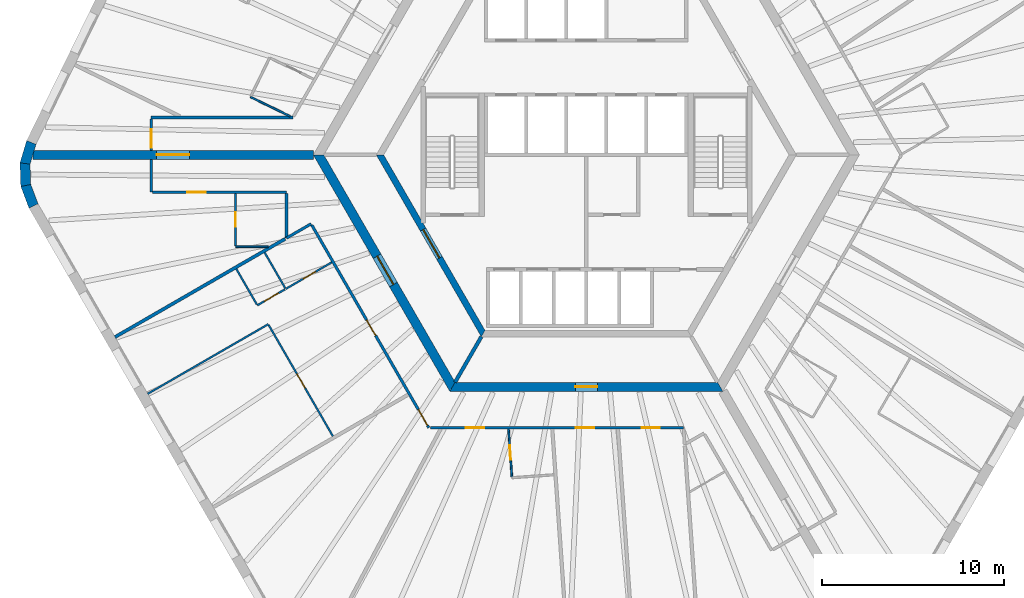
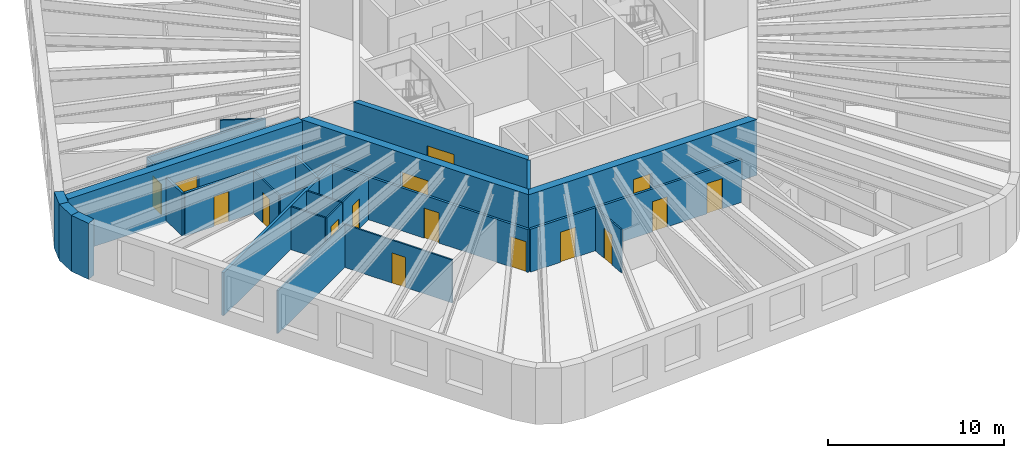
# One storey, part 3 of 10: 27 walls, 16 doors, 16 openings.
"""IFC4 building model written with IfcOpenShell, lengths in metres."""

from ifc_helpers import new_model, si_unit, direction, frame, frame_2d, origin, place, context, subcontext, project, spatial, polyline, rectangle, outline, extrude, material, layer, layer_set, type_object, element, fill, save


model = new_model("IFC4")

# Units and contexts
model_context = context("Model", 3, precision=1e-05, world=origin(), true_north=direction((0.0, 1.0)))
body_context = subcontext(model_context, "Body", "Model", "MODEL_VIEW")
ifc_project = project(units=[si_unit("LENGTHUNIT", "METRE"), si_unit("AREAUNIT", "SQUARE_METRE"), si_unit("VOLUMEUNIT", "CUBIC_METRE"), si_unit("PLANEANGLEUNIT", "RADIAN"), si_unit("MASSUNIT", "GRAM", prefix="KILO")], contexts=[model_context])

# Site, building, storey
site_placement = place(None, origin())
site = spatial("IfcSite", under=ifc_project, at=site_placement, CompositionType="ELEMENT")
building_placement = place(site_placement, origin())
building = spatial("IfcBuilding", under=site, at=building_placement, Name="Tarnside Tower", CompositionType="ELEMENT")
storey_placement = place(building_placement, frame((0.0, 0.0, 199.5)))
storey = spatial("IfcBuildingStorey", under=building, at=storey_placement, Name="L47", CompositionType="ELEMENT", Elevation=199.5)

# Walls
ifc_material_1 = material(Name="Gypsum board partition on steel studs", Category="steel")
ifc_layer_1 = layer(ifc_material_1, 0.10009765625)
ifc_layer_set_1 = layer_set([ifc_layer_1], Name="Bathroom wall 100")
wall_type_1 = type_object("IfcWallType", Name="Bathroom wall 100", PredefinedType="PARTITIONING", material=ifc_layer_set_1)
wall_1_placement = place(storey_placement, frame((-16.290771484375, 2.125, 0.0), z_axis=(0.0, 0.0, 1.0), x_axis=(-0.898785911157, 0.438387825909, 0.0)))
element("IfcWall", 1, at=wall_1_placement, inside=storey, type_object=wall_type_1, Name="Bathroom wall 15065", PredefinedType="PARTITIONING", context=body_context, shape_type="SweptSolid", body=[
    extrude(rectangle(XDim=2.41796875, YDim=0.10009765625, at=frame_2d((1.208984375, 0.0))), origin(), (0.0, 0.0, 1.0), 2.98779296875),
])
wall_2_placement = place(storey_placement, frame((-17.4912109375, -5.050048828125, 0.0), z_axis=(0.0, 0.0, 1.0), x_axis=(-1.0, 0.0, 0.0)))
element("IfcWall", 2, at=wall_2_placement, inside=storey, type_object=wall_type_1, Name="Bathroom wall 15071", PredefinedType="PARTITIONING", context=body_context, shape_type="SweptSolid", body=[
    extrude(rectangle(XDim=1.795654296875, YDim=0.10009765625, at=frame_2d((0.89794921875, 0.0))), origin(), (0.0, 0.0, 1.0), 2.98779296875),
])

# Wall, opening, door
wall_3_placement = place(storey_placement, frame((-19.286865234375, -5.0, 0.0), z_axis=(0.0, 0.0, 1.0), x_axis=(0.0, 1.0, 0.0)))
wall_3 = element("IfcWall", 3, at=wall_3_placement, inside=storey, type_object=wall_type_1, Name="Bathroom wall 15072", PredefinedType="PARTITIONING", context=body_context, shape_type="SweptSolid", body=[
    extrude(rectangle(XDim=2.875, YDim=0.10009765625, at=frame_2d((1.4375, 0.0))), origin(), (0.0, 0.0, 1.0), 2.98779296875),
])
opening_1_placement = place(wall_3_placement, frame((1.050048828125, 0.0, 0.0)))
opening_1 = element("IfcOpeningElement", 4, at=opening_1_placement, cuts=wall_3, Name="Opening D-B1", PredefinedType="OPENING", context=body_context, shape_type="SweptSolid", body=[
    extrude(rectangle(XDim=0.800048828125, YDim=2.10009765625, at=frame_2d((0.39990234375, 1.050048828125))), frame((0.0, 0.06005859375, 0.0), z_axis=(0.0, -1.0, 0.0), x_axis=(1.0, 0.0, 0.0)), (0.0, 0.0, 1.0), 0.1201171875),
])
ifc_material_2 = material(Name="Timber door leaf", Category="wood")
door_type_1 = type_object("IfcDoorType", Name="Bathroom door 800", OperationType="NOTDEFINED", PredefinedType="DOOR", material=ifc_material_2)
door_1_placement = place(opening_1_placement, origin())
door_1 = element("IfcDoor", 5, at=door_1_placement, inside=storey, type_object=door_type_1, Name="Bathroom door 15013", OperationType="SINGLE_SWING_LEFT", OverallHeight=2.10009765625, OverallWidth=0.800048828125, PredefinedType="DOOR", context=body_context, shape_type="SweptSolid", body=[
    extrude(rectangle(XDim=0.800048828125, YDim=2.10009765625, at=frame_2d((0.39990234375, 1.050048828125))), frame((0.0, 0.02490234375, 0.0), z_axis=(0.0, -1.0, 0.0), x_axis=(1.0, 0.0, 0.0)), (0.0, 0.0, 1.0), 0.050048828125),
])
fill(opening_1, door_1)

wall_4_placement = place(storey_placement, frame((-13.996337890625, -5.907470703125, 0.0), z_axis=(0.0, 0.0, 1.0), x_axis=(-0.86601045545, -0.500025890382, 0.0)))
wall_4 = element("IfcWall", 6, at=wall_4_placement, inside=storey, type_object=wall_type_1, Name="Bathroom wall 15077", PredefinedType="PARTITIONING", context=body_context, shape_type="SweptSolid", body=[
    extrude(rectangle(XDim=2.925048828125, YDim=0.10009765625, at=frame_2d((1.46240234375, 0.0))), origin(), (0.0, 0.0, 1.0), 2.98779296875),
])
opening_2_placement = place(wall_4_placement, frame((1.02490234375, 0.0, 0.0)))
opening_2 = element("IfcOpeningElement", 7, at=opening_2_placement, cuts=wall_4, Name="Opening D-B1", PredefinedType="OPENING", context=body_context, shape_type="SweptSolid", body=[
    extrude(rectangle(XDim=0.800048828125, YDim=2.10009765625, at=frame_2d((0.39990234375, 1.050048828125))), frame((0.0, 0.06005859375, 0.0), z_axis=(0.0, -1.0, 0.0), x_axis=(1.0, 0.0, 0.0)), (0.0, 0.0, 1.0), 0.1201171875),
])
door_2_placement = place(opening_2_placement, origin())
door_2 = element("IfcDoor", 8, at=door_2_placement, inside=storey, type_object=door_type_1, Name="Bathroom door 15015", OperationType="SINGLE_SWING_RIGHT", OverallHeight=2.10009765625, OverallWidth=0.800048828125, PredefinedType="DOOR", context=body_context, shape_type="SweptSolid", body=[
    extrude(rectangle(XDim=0.800048828125, YDim=2.10009765625, at=frame_2d((0.39990234375, 1.050048828125))), frame((0.0, 0.02490234375, 0.0), z_axis=(0.0, -1.0, 0.0), x_axis=(1.0, 0.0, 0.0)), (0.0, 0.0, 1.0), 0.050048828125),
])
fill(opening_2, door_2)

# Wall
wall_5_placement = place(storey_placement, frame((-17.6845703125, -5.36962890625, 0.0), z_axis=(0.0, 0.0, 1.0), x_axis=(0.500077800282, -0.865980481111, 0.0)))
element("IfcWall", 9, at=wall_5_placement, inside=storey, type_object=wall_type_1, Name="Bathroom wall 15083", PredefinedType="PARTITIONING", context=body_context, shape_type="SweptSolid", body=[
    extrude(rectangle(XDim=2.260009765625, YDim=0.10009765625, at=frame_2d((1.1298828125, 0.0))), origin(), (0.0, 0.0, 1.0), 2.98779296875),
])

# Wall, opening, door
wall_6_placement = place(storey_placement, frame((-4.09326171875, -17.698486328125, 0.0), z_axis=(0.0, 0.0, 1.0), x_axis=(-0.069808804481, 0.997560389559, 0.0)))
wall_6 = element("IfcWall", 10, at=wall_6_placement, inside=storey, type_object=wall_type_1, Name="Bathroom wall 15087", PredefinedType="PARTITIONING", context=body_context, shape_type="SweptSolid", body=[
    extrude(rectangle(XDim=2.6298828125, YDim=0.10009765625, at=frame_2d((1.31494140625, 0.0))), origin(), (0.0, 0.0, 1.0), 2.98779296875),
])
opening_3_placement = place(wall_6_placement, frame((0.949951171875, 0.0, 0.0)))
opening_3 = element("IfcOpeningElement", 11, at=opening_3_placement, cuts=wall_6, Name="Opening D-B1", PredefinedType="OPENING", context=body_context, shape_type="SweptSolid", body=[
    extrude(rectangle(XDim=0.800048828125, YDim=2.10009765625, at=frame_2d((0.39990234375, 1.050048828125))), frame((0.0, 0.06005859375, 0.0), z_axis=(0.0, -1.0, 0.0), x_axis=(1.0, 0.0, 0.0)), (0.0, 0.0, 1.0), 0.1201171875),
])
door_3_placement = place(opening_3_placement, origin())
door_3 = element("IfcDoor", 12, at=door_3_placement, inside=storey, type_object=door_type_1, Name="Bathroom door 15020", OperationType="SINGLE_SWING_LEFT", OverallHeight=2.10009765625, OverallWidth=0.800048828125, PredefinedType="DOOR", context=body_context, shape_type="SweptSolid", body=[
    extrude(rectangle(XDim=0.800048828125, YDim=2.10009765625, at=frame_2d((0.39990234375, 1.050048828125))), frame((0.0, 0.02490234375, 0.0), z_axis=(0.0, -1.0, 0.0), x_axis=(1.0, 0.0, 0.0)), (0.0, 0.0, 1.0), 0.050048828125),
])
fill(opening_3, door_3)

ifc_material_3 = material(Name="Concrete C50/60", Category="concrete")
ifc_layer_2 = layer(ifc_material_3, 0.35009765625)
ifc_layer_set_2 = layer_set([ifc_layer_2], Name="Core block wall 350 C50/60")
wall_type_2 = type_object("IfcWallType", Name="Core block wall 350 C50/60", PredefinedType="SHEAR", material=ifc_layer_set_2)
wall_7_placement = place(storey_placement, frame((-11.344970703125, 0.0, -0.14990234375), z_axis=(0.0, 0.0, 1.0), x_axis=(0.499995046907, -0.866028263435, 0.0)))
wall_7 = element("IfcWall", 13, at=wall_7_placement, inside=storey, type_object=wall_type_2, Name="L47 core block wall face 3", PredefinedType="SHEAR", context=body_context, shape_type="SweptSolid", body=[
    extrude(outline(polyline([(-0.10107421875, -0.175048828125), (11.44580078125, -0.175048828125), (11.24365234375, 0.175048828125), (0.10107421875, 0.175048828125), (-0.10107421875, -0.175048828125)])), origin(), (0.0, 0.0, 1.0), 3.89990234375),
])
opening_4_placement = place(wall_7_placement, frame((4.74365234375, 0.0, 0.14990234375)))
opening_4 = element("IfcOpeningElement", 14, at=opening_4_placement, cuts=wall_7, Name="Opening CD-FFL", PredefinedType="OPENING", context=body_context, shape_type="SweptSolid", body=[
    extrude(rectangle(XDim=1.800048828125, YDim=2.39990234375, at=frame_2d((0.89990234375, 1.199951171875))), frame((0.0, 0.18505859375, 0.0), z_axis=(0.0, -1.0, 0.0), x_axis=(1.0, 0.0, 0.0)), (0.0, 0.0, 1.0), 0.3701171875),
])
ifc_material_4 = material(Name="Steel fire door", Category="steel")
door_type_2 = type_object("IfcDoorType", Name="Firefighting lobby double door FD60S 1800x2400", OperationType="NOTDEFINED", PredefinedType="DOOR", material=ifc_material_4)
door_4_placement = place(opening_4_placement, origin())
door_4 = element("IfcDoor", 15, at=door_4_placement, inside=storey, type_object=door_type_2, Name="L47 lobby block door P3", OperationType="DOUBLE_DOOR_SINGLE_SWING", OverallHeight=2.39990234375, OverallWidth=1.800048828125, PredefinedType="DOOR", context=body_context, shape_type="SweptSolid", body=[
    extrude(rectangle(XDim=1.800048828125, YDim=2.39990234375, at=frame_2d((0.89990234375, 1.199951171875))), frame((0.0, 0.02490234375, 0.0), z_axis=(0.0, -1.0, 0.0), x_axis=(1.0, 0.0, 0.0)), (0.0, 0.0, 1.0), 0.050048828125),
])
fill(opening_4, door_4)

ifc_material_5 = material(Name="Concrete C70/85", Category="concrete")
ifc_layer_3 = layer(ifc_material_5, 0.5)
ifc_layer_set_3 = layer_set([ifc_layer_3], Name="Core wall Z2 500 C70/85")
wall_type_3 = type_object("IfcWallType", Name="Core wall Z2 500 C70/85", PredefinedType="SHEAR", material=ifc_layer_set_3)
wall_8_placement = place(storey_placement, frame((-14.722412109375, 0.0, -0.14990234375), z_axis=(0.0, 0.0, 1.0), x_axis=(0.50000571537, -0.866022103989, 0.0)))
wall_8 = element("IfcWall", 16, at=wall_8_placement, inside=storey, type_object=wall_type_3, Name="L47 core wall face 3", PredefinedType="SHEAR", context=body_context, shape_type="SweptSolid", body=[
    extrude(outline(polyline([(-0.144287109375, -0.25), (14.86669921875, -0.25), (14.578125, 0.25), (0.144287109375, 0.25), (-0.144287109375, -0.25)])), origin(), (0.0, 0.0, 1.0), 3.89990234375),
])
opening_5_placement = place(wall_8_placement, frame((6.432373046875, 0.0, 0.14990234375)))
opening_5 = element("IfcOpeningElement", 17, at=opening_5_placement, cuts=wall_8, Name="Opening CD-FFL", PredefinedType="OPENING", context=body_context, shape_type="SweptSolid", body=[
    extrude(rectangle(XDim=1.800048828125, YDim=2.39990234375, at=frame_2d((0.89990234375, 1.199951171875))), frame((0.0, 0.260009765625, 0.0), z_axis=(0.0, -1.0, 0.0), x_axis=(1.0, 0.0, 0.0)), (0.0, 0.0, 1.0), 0.52001953125),
])
door_5_placement = place(opening_5_placement, origin())
door_5 = element("IfcDoor", 18, at=door_5_placement, inside=storey, type_object=door_type_2, Name="L47 core door P3", OperationType="DOUBLE_DOOR_SINGLE_SWING", OverallHeight=2.39990234375, OverallWidth=1.800048828125, PredefinedType="DOOR", context=body_context, shape_type="SweptSolid", body=[
    extrude(rectangle(XDim=1.800048828125, YDim=2.39990234375, at=frame_2d((0.89990234375, 1.199951171875))), frame((0.0, 0.02490234375, 0.0), z_axis=(0.0, -1.0, 0.0), x_axis=(1.0, 0.0, 0.0)), (0.0, 0.0, 1.0), 0.050048828125),
])
fill(opening_5, door_5)

wall_9_placement = place(storey_placement, frame((-7.361083984375, -12.75, -0.14990234375), z_axis=(0.0, 0.0, 1.0), x_axis=(1.0, 0.0, 0.0)))
wall_9 = element("IfcWall", 19, at=wall_9_placement, inside=storey, type_object=wall_type_3, Name="L47 core wall face 4", PredefinedType="SHEAR", context=body_context, shape_type="SweptSolid", body=[
    extrude(outline(polyline([(-0.144287109375, -0.25), (14.866455078125, -0.25), (14.577880859375, 0.25), (0.144287109375, 0.25), (-0.144287109375, -0.25)])), origin(), (0.0, 0.0, 1.0), 3.89990234375),
])
opening_6_placement = place(wall_9_placement, frame((6.76123046875, 0.0, 0.14990234375)))
opening_6 = element("IfcOpeningElement", 20, at=opening_6_placement, cuts=wall_9, Name="Opening CD-RSR", PredefinedType="OPENING", context=body_context, shape_type="SweptSolid", body=[
    extrude(rectangle(XDim=1.199951171875, YDim=2.39990234375, at=frame_2d((0.60009765625, 1.199951171875))), frame((0.0, 0.260009765625, 0.0), z_axis=(0.0, -1.0, 0.0), x_axis=(1.0, 0.0, 0.0)), (0.0, 0.0, 1.0), 0.52001953125),
])
door_type_3 = type_object("IfcDoorType", Name="Riser door FD60 1200x2400", OperationType="NOTDEFINED", PredefinedType="DOOR", material=ifc_material_4)
door_6_placement = place(opening_6_placement, origin())
door_6 = element("IfcDoor", 21, at=door_6_placement, inside=storey, type_object=door_type_3, Name="L47 core door S6", OperationType="SINGLE_SWING_LEFT", OverallHeight=2.39990234375, OverallWidth=1.199951171875, PredefinedType="DOOR", context=body_context, shape_type="SweptSolid", body=[
    extrude(rectangle(XDim=1.199951171875, YDim=2.39990234375, at=frame_2d((0.60009765625, 1.199951171875))), frame((0.0, 0.02490234375, 0.0), z_axis=(0.0, -1.0, 0.0), x_axis=(1.0, 0.0, 0.0)), (0.0, 0.0, 1.0), 0.050048828125),
])
fill(opening_6, door_6)

wall_10_placement = place(storey_placement, frame((-15.010986328125, 0.0, -0.14990234375), z_axis=(0.0, 0.0, 1.0), x_axis=(-1.0, 0.0, 0.0)))
wall_10 = element("IfcWall", 22, at=wall_10_placement, inside=storey, type_object=wall_type_3, Name="L47 spine wall 2", PredefinedType="SHEAR", context=body_context, shape_type="SweptSolid", body=[
    extrude(rectangle(XDim=15.423828125, YDim=0.5, at=frame_2d((7.7119140625, 0.0))), origin(), (0.0, 0.0, 1.0), 3.89990234375),
])
opening_7_placement = place(wall_10_placement, frame((6.811767578125, 0.0, 0.14990234375)))
opening_7 = element("IfcOpeningElement", 23, at=opening_7_placement, cuts=wall_10, Name="Opening CD-SPN", PredefinedType="OPENING", context=body_context, shape_type="SweptSolid", body=[
    extrude(rectangle(XDim=1.800048828125, YDim=2.39990234375, at=frame_2d((0.89990234375, 1.199951171875))), frame((0.0, 0.260009765625, 0.0), z_axis=(0.0, -1.0, 0.0), x_axis=(1.0, 0.0, 0.0)), (0.0, 0.0, 1.0), 0.52001953125),
])
door_type_4 = type_object("IfcDoorType", Name="Spine passage double door FD60 1800x2400", OperationType="NOTDEFINED", PredefinedType="DOOR", material=ifc_material_4)
door_7_placement = place(opening_7_placement, origin())
door_7 = element("IfcDoor", 24, at=door_7_placement, inside=storey, type_object=door_type_4, Name="L47 spine passage door 2", OperationType="DOUBLE_DOOR_SINGLE_SWING", OverallHeight=2.39990234375, OverallWidth=1.800048828125, PredefinedType="DOOR", context=body_context, shape_type="SweptSolid", body=[
    extrude(rectangle(XDim=1.800048828125, YDim=2.39990234375, at=frame_2d((0.89990234375, 1.199951171875))), frame((0.0, 0.02490234375, 0.0), z_axis=(0.0, -1.0, 0.0), x_axis=(1.0, 0.0, 0.0)), (0.0, 0.0, 1.0), 0.050048828125),
])
fill(opening_7, door_7)

# Wall
ifc_layer_4 = layer(ifc_material_1, 0.14990234375)
ifc_layer_set_4 = layer_set([ifc_layer_4], Name="Corridor wall 150 EI 60")
wall_type_4 = type_object("IfcWallType", Name="Corridor wall 150 EI 60", PredefinedType="PARTITIONING", material=ifc_layer_set_4)
wall_11_placement = place(storey_placement, frame((-16.136962890625, 2.050048828125, 0.0), z_axis=(0.0, 0.0, 1.0), x_axis=(-1.0, 0.0, 0.0)))
element("IfcWall", 25, at=wall_11_placement, inside=storey, type_object=wall_type_4, Name="Corridor wall 15010", PredefinedType="PARTITIONING", context=body_context, shape_type="SweptSolid", body=[
    extrude(rectangle(XDim=7.785888671875, YDim=0.14990234375, at=frame_2d((3.89306640625, 0.0))), origin(), (0.0, 0.0, 1.0), 2.98779296875),
])

# Wall, opening, door
wall_12_placement = place(storey_placement, frame((-23.9228515625, 1.97509765625, 0.0), z_axis=(0.0, 0.0, 1.0), x_axis=(0.0, -1.0, 0.0)))
wall_12 = element("IfcWall", 26, at=wall_12_placement, inside=storey, type_object=wall_type_4, Name="Corridor wall 15014", PredefinedType="PARTITIONING", context=body_context, shape_type="SweptSolid", body=[
    extrude(rectangle(XDim=1.72509765625, YDim=0.14990234375, at=frame_2d((0.862548828125, 0.0))), origin(), (0.0, 0.0, 1.0), 2.98779296875),
])
opening_8_placement = place(wall_12_placement, frame((0.574951171875, 0.0, 0.0)))
opening_8 = element("IfcOpeningElement", 27, at=opening_8_placement, cuts=wall_12, Name="Opening D-E1", PredefinedType="OPENING", context=body_context, shape_type="SweptSolid", body=[
    extrude(rectangle(XDim=1.0, YDim=2.10009765625, at=frame_2d((0.5, 1.050048828125))), frame((0.0, 0.0849609375, 0.0), z_axis=(0.0, -1.0, 0.0), x_axis=(1.0, 0.0, 0.0)), (0.0, 0.0, 1.0), 0.169921875),
])
door_type_5 = type_object("IfcDoorType", Name="Unit entrance door 1000 FD30S", OperationType="NOTDEFINED", PredefinedType="DOOR", material=ifc_material_2)
door_8_placement = place(opening_8_placement, origin())
door_8 = element("IfcDoor", 28, at=door_8_placement, inside=storey, type_object=door_type_5, Name="Unit door 15011", OperationType="SINGLE_SWING_LEFT", OverallHeight=2.10009765625, OverallWidth=1.0, PredefinedType="DOOR", context=body_context, shape_type="SweptSolid", body=[
    extrude(rectangle(XDim=1.0, YDim=2.10009765625, at=frame_2d((0.5, 1.050048828125))), frame((0.0, 0.02490234375, 0.0), z_axis=(0.0, -1.0, 0.0), x_axis=(1.0, 0.0, 0.0)), (0.0, 0.0, 1.0), 0.050048828125),
])
fill(opening_8, door_8)

# Wall
wall_13_placement = place(storey_placement, frame((-23.9228515625, -0.25, 0.0), z_axis=(0.0, 0.0, 1.0), x_axis=(0.0, -1.0, 0.0)))
element("IfcWall", 29, at=wall_13_placement, inside=storey, type_object=wall_type_4, Name="Corridor wall 15015", PredefinedType="PARTITIONING", context=body_context, shape_type="SweptSolid", body=[
    extrude(rectangle(XDim=1.800048828125, YDim=0.14990234375, at=frame_2d((0.89990234375, 0.0))), origin(), (0.0, 0.0, 1.0), 2.98779296875),
])

# Wall, opening, door
wall_14_placement = place(storey_placement, frame((-23.847900390625, -2.050048828125, 0.0), z_axis=(0.0, 0.0, 1.0), x_axis=(1.0, 0.0, 0.0)))
wall_14 = element("IfcWall", 30, at=wall_14_placement, inside=storey, type_object=wall_type_4, Name="Corridor wall 15016", PredefinedType="PARTITIONING", context=body_context, shape_type="SweptSolid", body=[
    extrude(rectangle(XDim=7.36083984375, YDim=0.14990234375, at=frame_2d((3.680419921875, 0.0))), origin(), (0.0, 0.0, 1.0), 2.98779296875),
])
opening_9_placement = place(wall_14_placement, frame((1.91796875, 0.0, 0.0)))
opening_9 = element("IfcOpeningElement", 31, at=opening_9_placement, cuts=wall_14, Name="Opening D-E1", PredefinedType="OPENING", context=body_context, shape_type="SweptSolid", body=[
    extrude(rectangle(XDim=1.0, YDim=2.10009765625, at=frame_2d((0.5, 1.050048828125))), frame((0.0, 0.0849609375, 0.0), z_axis=(0.0, -1.0, 0.0), x_axis=(1.0, 0.0, 0.0)), (0.0, 0.0, 1.0), 0.169921875),
])
door_9_placement = place(opening_9_placement, origin())
door_9 = element("IfcDoor", 32, at=door_9_placement, inside=storey, type_object=door_type_5, Name="Unit door 15012", OperationType="SINGLE_SWING_LEFT", OverallHeight=2.10009765625, OverallWidth=1.0, PredefinedType="DOOR", context=body_context, shape_type="SweptSolid", body=[
    extrude(rectangle(XDim=1.0, YDim=2.10009765625, at=frame_2d((0.5, 1.050048828125))), frame((0.0, 0.02490234375, 0.0), z_axis=(0.0, -1.0, 0.0), x_axis=(1.0, 0.0, 0.0)), (0.0, 0.0, 1.0), 0.050048828125),
])
fill(opening_9, door_9)

# Wall
wall_15_placement = place(storey_placement, frame((-16.487060546875, -2.125, 0.0), z_axis=(0.0, 0.0, 1.0), x_axis=(0.0, -1.0, 0.0)))
element("IfcWall", 33, at=wall_15_placement, inside=storey, type_object=wall_type_4, Name="Corridor wall 15018", PredefinedType="PARTITIONING", context=body_context, shape_type="SweptSolid", body=[
    extrude(rectangle(XDim=2.44921875, YDim=0.14990234375, at=frame_2d((1.224609375, 0.0))), origin(), (0.0, 0.0, 1.0), 2.98779296875),
])

# Wall, openings, doors
wall_16_placement = place(storey_placement, frame((-15.093994140625, -3.8564453125, 0.0), z_axis=(0.0, 0.0, 1.0), x_axis=(0.500006037985, -0.866021917724, 0.0)))
wall_16 = element("IfcWall", 34, at=wall_16_placement, inside=storey, type_object=wall_type_4, Name="Corridor wall 15019", PredefinedType="PARTITIONING", context=body_context, shape_type="SweptSolid", body=[
    extrude(rectangle(XDim=12.867431640625, YDim=0.14990234375, at=frame_2d((6.43359375, 0.0))), origin(), (0.0, 0.0, 1.0), 2.98779296875),
])
opening_10_placement = place(wall_16_placement, frame((6.02490234375, 0.0, 0.0)))
opening_10 = element("IfcOpeningElement", 35, at=opening_10_placement, cuts=wall_16, Name="Opening D-E1", PredefinedType="OPENING", context=body_context, shape_type="SweptSolid", body=[
    extrude(rectangle(XDim=1.0, YDim=2.10009765625, at=frame_2d((0.5, 1.050048828125))), frame((0.0, 0.0849609375, 0.0), z_axis=(0.0, -1.0, 0.0), x_axis=(1.0, 0.0, 0.0)), (0.0, 0.0, 1.0), 0.169921875),
])
opening_11_placement = place(wall_16_placement, frame((11.71728515625, 0.0, 0.0)))
opening_11 = element("IfcOpeningElement", 36, at=opening_11_placement, cuts=wall_16, Name="Opening D-E1", PredefinedType="OPENING", context=body_context, shape_type="SweptSolid", body=[
    extrude(rectangle(XDim=1.0, YDim=2.10009765625, at=frame_2d((0.5, 1.050048828125))), frame((0.0, 0.0849609375, 0.0), z_axis=(0.0, -1.0, 0.0), x_axis=(1.0, 0.0, 0.0)), (0.0, 0.0, 1.0), 0.169921875),
])
door_10_placement = place(opening_10_placement, origin())
door_10 = element("IfcDoor", 37, at=door_10_placement, inside=storey, type_object=door_type_5, Name="Unit door 15014", OperationType="SINGLE_SWING_LEFT", OverallHeight=2.10009765625, OverallWidth=1.0, PredefinedType="DOOR", context=body_context, shape_type="SweptSolid", body=[
    extrude(rectangle(XDim=1.0, YDim=2.10009765625, at=frame_2d((0.5, 1.050048828125))), frame((0.0, 0.02490234375, 0.0), z_axis=(0.0, -1.0, 0.0), x_axis=(1.0, 0.0, 0.0)), (0.0, 0.0, 1.0), 0.050048828125),
])
fill(opening_10, door_10)
door_11_placement = place(opening_11_placement, origin())
door_11 = element("IfcDoor", 38, at=door_11_placement, inside=storey, type_object=door_type_5, Name="Unit door 15018", OperationType="SINGLE_SWING_LEFT", OverallHeight=2.10009765625, OverallWidth=1.0, PredefinedType="DOOR", context=body_context, shape_type="SweptSolid", body=[
    extrude(rectangle(XDim=1.0, YDim=2.10009765625, at=frame_2d((0.5, 1.050048828125))), frame((0.0, 0.02490234375, 0.0), z_axis=(0.0, -1.0, 0.0), x_axis=(1.0, 0.0, 0.0)), (0.0, 0.0, 1.0), 0.050048828125),
])
fill(opening_11, door_11)

# Wall
wall_17_placement = place(storey_placement, frame((-16.490234375, -4.576171875, 0.0), z_axis=(0.0, 0.0, 1.0), x_axis=(0.865993845424, 0.5000546567, 0.0)))
element("IfcWall", 39, at=wall_17_placement, inside=storey, type_object=wall_type_4, Name="Corridor wall 15020", PredefinedType="PARTITIONING", context=body_context, shape_type="SweptSolid", body=[
    extrude(rectangle(XDim=1.569091796875, YDim=0.14990234375, at=frame_2d((0.78466796875, 0.0))), origin(), (0.0, 0.0, 1.0), 2.98779296875),
])

# Wall, openings, doors
wall_18_placement = place(storey_placement, frame((-8.57373046875, -15.0, 0.0), z_axis=(0.0, 0.0, 1.0), x_axis=(1.0, 0.0, 0.0)))
wall_18 = element("IfcWall", 40, at=wall_18_placement, inside=storey, type_object=wall_type_4, Name="Corridor wall 15023", PredefinedType="PARTITIONING", context=body_context, shape_type="SweptSolid", body=[
    extrude(rectangle(XDim=13.9150390625, YDim=0.14990234375, at=frame_2d((6.95751953125, 0.0))), origin(), (0.0, 0.0, 1.0), 2.98779296875),
])
opening_12_placement = place(wall_18_placement, frame((1.95068359375, 0.0, 0.0)))
opening_12 = element("IfcOpeningElement", 41, at=opening_12_placement, cuts=wall_18, Name="Opening D-E1", PredefinedType="OPENING", context=body_context, shape_type="SweptSolid", body=[
    extrude(rectangle(XDim=1.0, YDim=2.10009765625, at=frame_2d((0.5, 1.050048828125))), frame((0.0, 0.0849609375, 0.0), z_axis=(0.0, -1.0, 0.0), x_axis=(1.0, 0.0, 0.0)), (0.0, 0.0, 1.0), 0.169921875),
])
opening_13_placement = place(wall_18_placement, frame((8.001953125, 0.0, 0.0)))
opening_13 = element("IfcOpeningElement", 42, at=opening_13_placement, cuts=wall_18, Name="Opening D-E1", PredefinedType="OPENING", context=body_context, shape_type="SweptSolid", body=[
    extrude(rectangle(XDim=1.0, YDim=2.10009765625, at=frame_2d((0.5, 1.050048828125))), frame((0.0, 0.0849609375, 0.0), z_axis=(0.0, -1.0, 0.0), x_axis=(1.0, 0.0, 0.0)), (0.0, 0.0, 1.0), 0.169921875),
])
opening_14_placement = place(wall_18_placement, frame((11.610595703125, 0.0, 0.0)))
opening_14 = element("IfcOpeningElement", 43, at=opening_14_placement, cuts=wall_18, Name="Opening D-E1", PredefinedType="OPENING", context=body_context, shape_type="SweptSolid", body=[
    extrude(rectangle(XDim=1.0, YDim=2.10009765625, at=frame_2d((0.5, 1.050048828125))), frame((0.0, 0.0849609375, 0.0), z_axis=(0.0, -1.0, 0.0), x_axis=(1.0, 0.0, 0.0)), (0.0, 0.0, 1.0), 0.169921875),
])
door_12_placement = place(opening_12_placement, origin())
door_12 = element("IfcDoor", 44, at=door_12_placement, inside=storey, type_object=door_type_5, Name="Unit door 15019", OperationType="SINGLE_SWING_LEFT", OverallHeight=2.10009765625, OverallWidth=1.0, PredefinedType="DOOR", context=body_context, shape_type="SweptSolid", body=[
    extrude(rectangle(XDim=1.0, YDim=2.10009765625, at=frame_2d((0.5, 1.050048828125))), frame((0.0, 0.02490234375, 0.0), z_axis=(0.0, -1.0, 0.0), x_axis=(1.0, 0.0, 0.0)), (0.0, 0.0, 1.0), 0.050048828125),
])
fill(opening_12, door_12)
door_13_placement = place(opening_13_placement, origin())
door_13 = element("IfcDoor", 45, at=door_13_placement, inside=storey, type_object=door_type_5, Name="Unit door 15021", OperationType="SINGLE_SWING_RIGHT", OverallHeight=2.10009765625, OverallWidth=1.0, PredefinedType="DOOR", context=body_context, shape_type="SweptSolid", body=[
    extrude(rectangle(XDim=1.0, YDim=2.10009765625, at=frame_2d((0.5, 1.050048828125))), frame((0.0, 0.02490234375, 0.0), z_axis=(0.0, -1.0, 0.0), x_axis=(1.0, 0.0, 0.0)), (0.0, 0.0, 1.0), 0.050048828125),
])
fill(opening_13, door_13)
door_14_placement = place(opening_14_placement, origin())
door_14 = element("IfcDoor", 46, at=door_14_placement, inside=storey, type_object=door_type_5, Name="Unit door 15022", OperationType="SINGLE_SWING_RIGHT", OverallHeight=2.10009765625, OverallWidth=1.0, PredefinedType="DOOR", context=body_context, shape_type="SweptSolid", body=[
    extrude(rectangle(XDim=1.0, YDim=2.10009765625, at=frame_2d((0.5, 1.050048828125))), frame((0.0, 0.02490234375, 0.0), z_axis=(0.0, -1.0, 0.0), x_axis=(1.0, 0.0, 0.0)), (0.0, 0.0, 1.0), 0.050048828125),
])
fill(opening_14, door_14)

# Walls
ifc_layer_5 = layer(ifc_material_1, 0.179931640625)
ifc_layer_set_5 = layer_set([ifc_layer_5], Name="Demising wall 180 EI 60")
wall_type_5 = type_object("IfcWallType", Name="Demising wall 180 EI 60", PredefinedType="PARTITIONING", material=ifc_layer_set_5)
wall_19_placement = place(storey_placement, frame((-25.91357421875, -10.0166015625, 0.0), z_axis=(0.0, 0.0, 1.0), x_axis=(0.866019956843, 0.50000943426, 0.0)))
element("IfcWall", 47, at=wall_19_placement, inside=storey, type_object=wall_type_5, Name="Demising wall 15073", PredefinedType="PARTITIONING", context=body_context, shape_type="SweptSolid", body=[
    extrude(rectangle(XDim=10.800537109375, YDim=0.179931640625, at=frame_2d((5.400390625, 0.0))), origin(), (0.0, 0.0, 1.0), 2.98779296875),
])
ifc_material_6 = material(Name="Concrete C40/50", Category="concrete")
ifc_layer_6 = layer(ifc_material_6, 0.199951171875)
ifc_layer_set_6 = layer_set([ifc_layer_6], Name="Lift shaft wall 200 C40/50")
wall_type_6 = type_object("IfcWallType", Name="Lift shaft wall 200 C40/50", PredefinedType="SHEAR", material=ifc_layer_set_6)
wall_20_placement = place(storey_placement, frame((-5.7734375, -10.0, -0.14990234375), z_axis=(0.0, 0.0, 1.0), x_axis=(-0.499995765644, -0.866027848477, 0.0)))
element("IfcWall", 48, at=wall_20_placement, inside=storey, type_object=wall_type_6, Name="L47 core partition AR240", PredefinedType="SHEAR", context=body_context, shape_type="SweptSolid", body=[
    extrude(rectangle(XDim=2.88671875, YDim=0.199951171875, at=frame_2d((1.443359375, 0.0))), origin(), (0.0, 0.0, 1.0), 3.89990234375),
])

# Wall, opening, door
ifc_layer_7 = layer(ifc_material_1, 0.10009765625)
ifc_layer_set_7 = layer_set([ifc_layer_7], Name="Partition 100")
wall_type_7 = type_object("IfcWallType", Name="Partition 100", PredefinedType="PARTITIONING", material=ifc_layer_set_7)
wall_21_placement = place(storey_placement, frame((-16.57275390625, -7.39501953125, 0.0), z_axis=(0.0, 0.0, 1.0), x_axis=(-0.866036909293, -0.499980071345, 0.0)))
wall_21 = element("IfcWall", 49, at=wall_21_placement, inside=storey, type_object=wall_type_7, Name="Partition wall 15078", PredefinedType="PARTITIONING", context=body_context, shape_type="SweptSolid", body=[
    extrude(rectangle(XDim=1.75, YDim=0.10009765625, at=frame_2d((0.875, 0.0))), origin(), (0.0, 0.0, 1.0), 2.98779296875),
])
opening_15_placement = place(wall_21_placement, frame((0.39990234375, 0.0, 0.0)))
opening_15 = element("IfcOpeningElement", 50, at=opening_15_placement, cuts=wall_21, Name="Opening D-I1", PredefinedType="OPENING", context=body_context, shape_type="SweptSolid", body=[
    extrude(rectangle(XDim=0.89990234375, YDim=2.10009765625, at=frame_2d((0.449951171875, 1.050048828125))), frame((0.0, 0.06005859375, 0.0), z_axis=(0.0, -1.0, 0.0), x_axis=(1.0, 0.0, 0.0)), (0.0, 0.0, 1.0), 0.1201171875),
])
door_type_6 = type_object("IfcDoorType", Name="Internal door 900", OperationType="NOTDEFINED", PredefinedType="DOOR", material=ifc_material_2)
door_15_placement = place(opening_15_placement, origin())
door_15 = element("IfcDoor", 51, at=door_15_placement, inside=storey, type_object=door_type_6, Name="Internal door 15016", OperationType="SINGLE_SWING_RIGHT", OverallHeight=2.10009765625, OverallWidth=0.89990234375, PredefinedType="DOOR", context=body_context, shape_type="SweptSolid", body=[
    extrude(rectangle(XDim=0.89990234375, YDim=2.10009765625, at=frame_2d((0.449951171875, 1.050048828125))), frame((0.0, 0.02490234375, 0.0), z_axis=(0.0, -1.0, 0.0), x_axis=(1.0, 0.0, 0.0)), (0.0, 0.0, 1.0), 0.050048828125),
])
fill(opening_15, door_15)

# Walls
wall_22_placement = place(storey_placement, frame((-18.11328125, -8.226806640625, 0.0), z_axis=(0.0, 0.0, 1.0), x_axis=(-0.500031020067, 0.8660074936, 0.0)))
element("IfcWall", 52, at=wall_22_placement, inside=storey, type_object=wall_type_7, Name="Partition wall 15079", PredefinedType="PARTITIONING", context=body_context, shape_type="SweptSolid", body=[
    extrude(rectangle(XDim=2.260009765625, YDim=0.10009765625, at=frame_2d((1.1298828125, 0.0))), origin(), (0.0, 0.0, 1.0), 2.98779296875),
])
wall_23_placement = place(storey_placement, frame((-24.113525390625, -13.13427734375, 0.0), z_axis=(0.0, 0.0, 1.0), x_axis=(0.866033062874, 0.499986733834, 0.0)))
element("IfcWall", 53, at=wall_23_placement, inside=storey, type_object=wall_type_7, Name="Partition wall 15080", PredefinedType="PARTITIONING", context=body_context, shape_type="SweptSolid", body=[
    extrude(rectangle(XDim=7.650146484375, YDim=0.10009765625, at=frame_2d((3.8251953125, 0.0))), origin(), (0.0, 0.0, 1.0), 2.98779296875),
])

# Wall, opening, door
wall_24_placement = place(storey_placement, frame((-17.46337890625, -9.3525390625, 0.0), z_axis=(0.0, 0.0, 1.0), x_axis=(0.499995846692, -0.866027801685, 0.0)))
wall_24 = element("IfcWall", 54, at=wall_24_placement, inside=storey, type_object=wall_type_7, Name="Partition wall 15081", PredefinedType="PARTITIONING", context=body_context, shape_type="SweptSolid", body=[
    extrude(rectangle(XDim=7.06005859375, YDim=0.10009765625, at=frame_2d((3.530029296875, 0.0))), origin(), (0.0, 0.0, 1.0), 2.98779296875),
])
opening_16_placement = place(wall_24_placement, frame((3.10009765625, 0.0, 0.0)))
opening_16 = element("IfcOpeningElement", 55, at=opening_16_placement, cuts=wall_24, Name="Opening D-I1", PredefinedType="OPENING", context=body_context, shape_type="SweptSolid", body=[
    extrude(rectangle(XDim=0.89990234375, YDim=2.10009765625, at=frame_2d((0.449951171875, 1.050048828125))), frame((0.0, 0.06005859375, 0.0), z_axis=(0.0, -1.0, 0.0), x_axis=(1.0, 0.0, 0.0)), (0.0, 0.0, 1.0), 0.1201171875),
])
door_16_placement = place(opening_16_placement, origin())
door_16 = element("IfcDoor", 56, at=door_16_placement, inside=storey, type_object=door_type_6, Name="Internal door 15017", OperationType="SINGLE_SWING_RIGHT", OverallHeight=2.10009765625, OverallWidth=0.89990234375, PredefinedType="DOOR", context=body_context, shape_type="SweptSolid", body=[
    extrude(rectangle(XDim=0.89990234375, YDim=2.10009765625, at=frame_2d((0.449951171875, 1.050048828125))), frame((0.0, 0.02490234375, 0.0), z_axis=(0.0, -1.0, 0.0), x_axis=(1.0, 0.0, 0.0)), (0.0, 0.0, 1.0), 0.050048828125),
])
fill(opening_16, door_16)

# Walls
ifc_material_7 = material(Name="Facing brick", Category="masonry")
ifc_layer_8 = layer(ifc_material_7, 0.10205078125)
ifc_material_8 = material(Name="Concrete C60/75 precast", Category="concrete")
ifc_layer_9 = layer(ifc_material_8, 0.347900390625)
ifc_material_9 = material(Name="Mineral wool insulation")
ifc_layer_10 = layer(ifc_material_9, 0.10009765625)
ifc_layer_set_8 = layer_set([ifc_layer_8, ifc_layer_9, ifc_layer_10], Name="Tube wall 550 brick faced")
wall_type_8 = type_object("IfcWallType", Name="Tube wall 550 brick faced", PredefinedType="SOLIDWALL", material=ifc_layer_set_8)
wall_25_placement = place(storey_placement, frame((-30.51318359375, 0.684326171875, -0.14990234375), z_axis=(0.0, 0.0, 1.0), x_axis=(-0.286736058109, -0.958009620505, 0.0)))
element("IfcWall", 57, at=wall_25_placement, inside=storey, type_object=wall_type_8, Name="Tube wall L47 F2 chord 05", PredefinedType="SOLIDWALL", context=body_context, shape_type="SweptSolid", body=[
    extrude(outline(polyline([(-0.0224609375, -0.27490234375), (1.25341796875, -0.27490234375), (1.1630859375, 0.27490234375), (0.0224609375, 0.27490234375), (-0.0224609375, -0.27490234375)])), origin(), (0.0, 0.0, 1.0), 3.89990234375),
])
wall_26_placement = place(storey_placement, frame((-30.859619140625, -0.47314453125, -0.14990234375), z_axis=(0.0, 0.0, 1.0), x_axis=(0.03495638276, -0.999388838893, 0.0)))
element("IfcWall", 58, at=wall_26_placement, inside=storey, type_object=wall_type_8, Name="Tube wall L47 F2 chord 06", PredefinedType="SOLIDWALL", context=body_context, shape_type="SweptSolid", body=[
    extrude(outline(polyline([(-0.045166015625, -0.27490234375), (1.25341796875, -0.27490234375), (1.1630859375, 0.27490234375), (0.045166015625, 0.27490234375), (-0.045166015625, -0.27490234375)])), origin(), (0.0, 0.0, 1.0), 3.89990234375),
])
wall_27_placement = place(storey_placement, frame((-30.8173828125, -1.6806640625, -0.14990234375), z_axis=(0.0, 0.0, 1.0), x_axis=(0.352850303963, -0.935679786569, 0.0)))
element("IfcWall", 59, at=wall_27_placement, inside=storey, type_object=wall_type_8, Name="Tube wall L47 F2 chord 07", PredefinedType="SOLIDWALL", context=body_context, shape_type="SweptSolid", body=[
    extrude(outline(polyline([(-0.045166015625, -0.27490234375), (1.23046875, -0.27490234375), (1.185546875, 0.27490234375), (0.045166015625, 0.27490234375), (-0.045166015625, -0.27490234375)])), origin(), (0.0, 0.0, 1.0), 3.89990234375),
])

save(model, "model.ifc")
